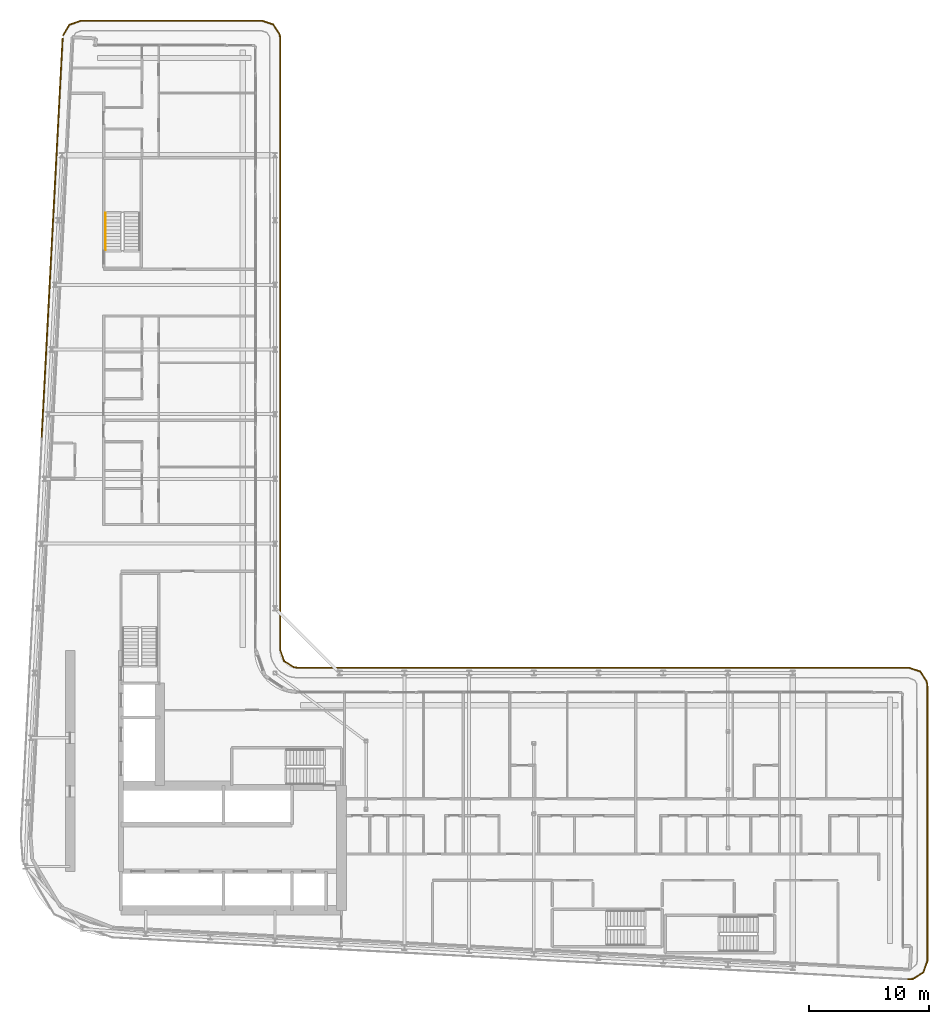
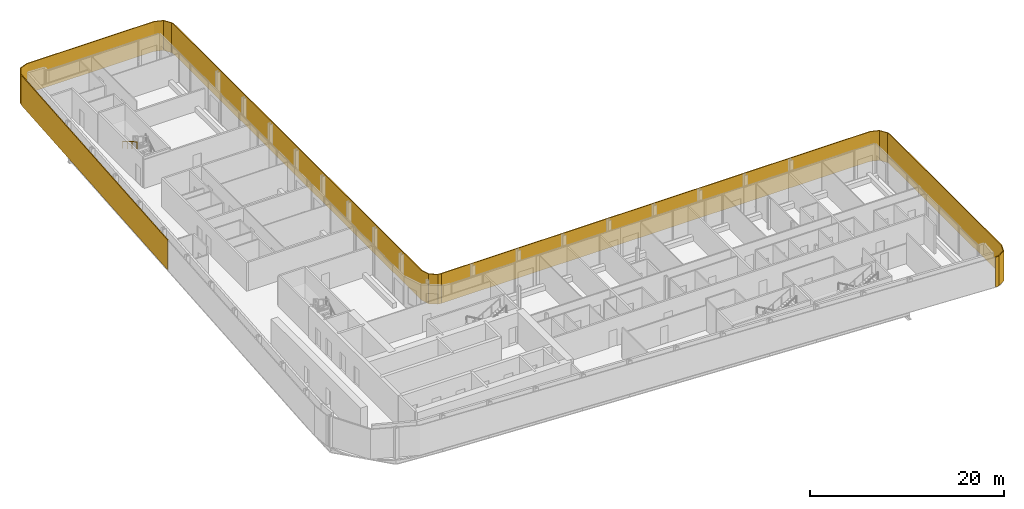
# One storey, part 27 of 29: 3 shading devices, 1 railing.
"""IFC4 building model written with IfcOpenShell, lengths in metres."""

from ifc_helpers import new_model, si_unit, direction, frame, origin, origin_2d, place, context, subcontext, project, spatial, polyline, rectangle, circle, outline, extrude, material, layer, layer_set, type_object, element, save


model = new_model("IFC4")

# Units and contexts
model_context = context("Model", 3, precision=1e-05, world=origin(), true_north=direction((0.0, 1.0)))
body_context = subcontext(model_context, "Body", "Model", "MODEL_VIEW")
ifc_project = project(units=[si_unit("LENGTHUNIT", "METRE"), si_unit("AREAUNIT", "SQUARE_METRE"), si_unit("VOLUMEUNIT", "CUBIC_METRE"), si_unit("PLANEANGLEUNIT", "RADIAN"), si_unit("MASSUNIT", "GRAM", prefix="KILO")], contexts=[model_context])

# Site, building, storey
site_placement = place(None, origin())
site = spatial("IfcSite", under=ifc_project, at=site_placement, CompositionType="ELEMENT")
building_placement = place(site_placement, origin())
building = spatial("IfcBuilding", under=site, at=building_placement, Name="Kheshtan School and Residences Tower", CompositionType="ELEMENT")
storey_placement = place(building_placement, frame((0.0, 0.0, 179.89990234375)))
storey = spatial("IfcBuildingStorey", under=building, at=storey_placement, Name="L42", CompositionType="ELEMENT", Elevation=179.89990234375)

# Shading devices
ifc_material_1 = material(Name="Terracotta baguette, extruded ceramic", Category="masonry")
ifc_layer_1 = layer(ifc_material_1, 0.10009765625)
ifc_layer_set_1 = layer_set([ifc_layer_1], Name="Ledge screen, terracotta baguettes")
shading_device_type_1 = type_object("IfcShadingDeviceType", Name="Ledge screen, terracotta baguettes", PredefinedType="USERDEFINED", material=ifc_layer_set_1)
shading_device_1_placement = place(storey_placement, frame((28.9990234375, 81.93408203125, 0.0), z_axis=(0.0, 0.0, 1.0), x_axis=(0.052562536748, 0.998617634398, 0.0)))
element("IfcShadingDevice", 1, at=shading_device_1_placement, inside=storey, type_object=shading_device_type_1, Name="Screen L42 5", ObjectType="BAGUETTE", PredefinedType="USERDEFINED", context=body_context, shape_type="SweptSolid", body=[
    extrude(rectangle(XDim=33.341064453125, YDim=0.10009765625, at=origin_2d()), origin(), (0.0, 0.0, 1.0), 3.75),
])
ifc_material_2 = material(Name="Terracotta lattice, extruded ceramic", Category="masonry")
ifc_layer_2 = layer(ifc_material_2, 0.10009765625)
ifc_layer_set_2 = layer_set([ifc_layer_2], Name="Loggia screen, terracotta lattice")
shading_device_type_2 = type_object("IfcShadingDeviceType", Name="Loggia screen, terracotta lattice", PredefinedType="USERDEFINED", material=ifc_layer_set_2)
shading_device_2_placement = place(storey_placement, origin())
element("IfcShadingDevice", 2, at=shading_device_2_placement, inside=storey, type_object=shading_device_type_2, Name="Screen L42 1", ObjectType="SCREEN", PredefinedType="USERDEFINED", context=body_context, shape_type="SweptSolid", body=[
    extrude(outline(polyline([(29.949951171875, 98.783935546875), (30.468017578125, 99.656982421875), (31.423095703125, 100.0), (46.5, 100.0), (47.4130859375, 99.68994140625), (47.948974609375, 98.887939453125), (48.0, 98.5), (48.0, 47.5), (48.31005859375, 46.5869140625), (49.112060546875, 46.051025390625), (49.5, 46.0), (49.512939453125, 46.09912109375), (49.14794921875, 46.14697265625), (48.39404296875, 46.65087890625), (48.10009765625, 47.51708984375), (48.10009765625, 98.507080078125), (48.044921875, 98.924072265625), (47.47705078125, 99.77392578125), (46.51708984375, 100.10009765625), (31.406005859375, 100.10009765625), (30.39990234375, 99.739013671875), (29.864013671875, 98.8349609375), (29.949951171875, 98.783935546875)])), origin(), (0.0, 0.0, 1.0), 3.75),
])
shading_device_3_placement = place(storey_placement, origin())
element("IfcShadingDevice", 3, at=shading_device_3_placement, inside=storey, type_object=shading_device_type_2, Name="Screen L42 2", ObjectType="SCREEN", PredefinedType="USERDEFINED", context=body_context, shape_type="SweptSolid", body=[
    extrude(outline(polyline([(49.5, 46.0), (100.5, 46.0), (101.4130859375, 45.68994140625), (101.948974609375, 44.887939453125), (102.0, 44.5), (102.0, 21.5810546875), (101.669921875, 20.64208984375), (100.823974609375, 20.116943359375), (100.4208984375, 20.0830078125), (100.428955078125, 19.98291015625), (100.85595703125, 20.01904296875), (101.7529296875, 20.575927734375), (102.10009765625, 21.56396484375), (102.10009765625, 44.507080078125), (102.044921875, 44.924072265625), (101.47705078125, 45.77392578125), (100.51708984375, 46.10009765625), (49.5, 46.10009765625), (49.5, 46.0)])), origin(), (0.0, 0.0, 1.0), 3.75),
])

# Railing
ifc_material_3 = material(Name="Stainless steel handrail", Category="steel")
railing_type = type_object("IfcRailingType", Name="Stair handrail 900", PredefinedType="HANDRAIL", material=ifc_material_3)
railing_placement = place(storey_placement, frame((33.449951171875, 83.97998046875, 2.112548828125)))
element("IfcRailing", 4, at=railing_placement, inside=storey, type_object=railing_type, Name="L42 ST3 stair handrail 2", PredefinedType="HANDRAIL", context=body_context, shape_type="SweptSolid", body=[
    extrude(circle(Radius=0.02392578125, at=origin_2d()), frame((0.0, 0.0, 0.8759765625), z_axis=(0.0, -0.864890721111, 0.501960198159), x_axis=(1.0, 0.0, 0.0)), (0.0, 0.0, 1.0), 3.561279296875),
    extrude(circle(Radius=0.02099609375, at=origin_2d()), origin(), (0.0, 0.0, 1.0), 0.851806640625),
    extrude(circle(Radius=0.02099609375, at=origin_2d()), frame((0.0, -1.026611328125, 0.595947265625)), (0.0, 0.0, 1.0), 0.851806640625),
    extrude(circle(Radius=0.02099609375, at=origin_2d()), frame((0.0, -2.053466796875, 1.191650390625)), (0.0, 0.0, 1.0), 0.851806640625),
    extrude(circle(Radius=0.02099609375, at=origin_2d()), frame((0.0, -3.080078125, 1.78759765625)), (0.0, 0.0, 1.0), 0.851806640625),
])

save(model, "model.ifc")
